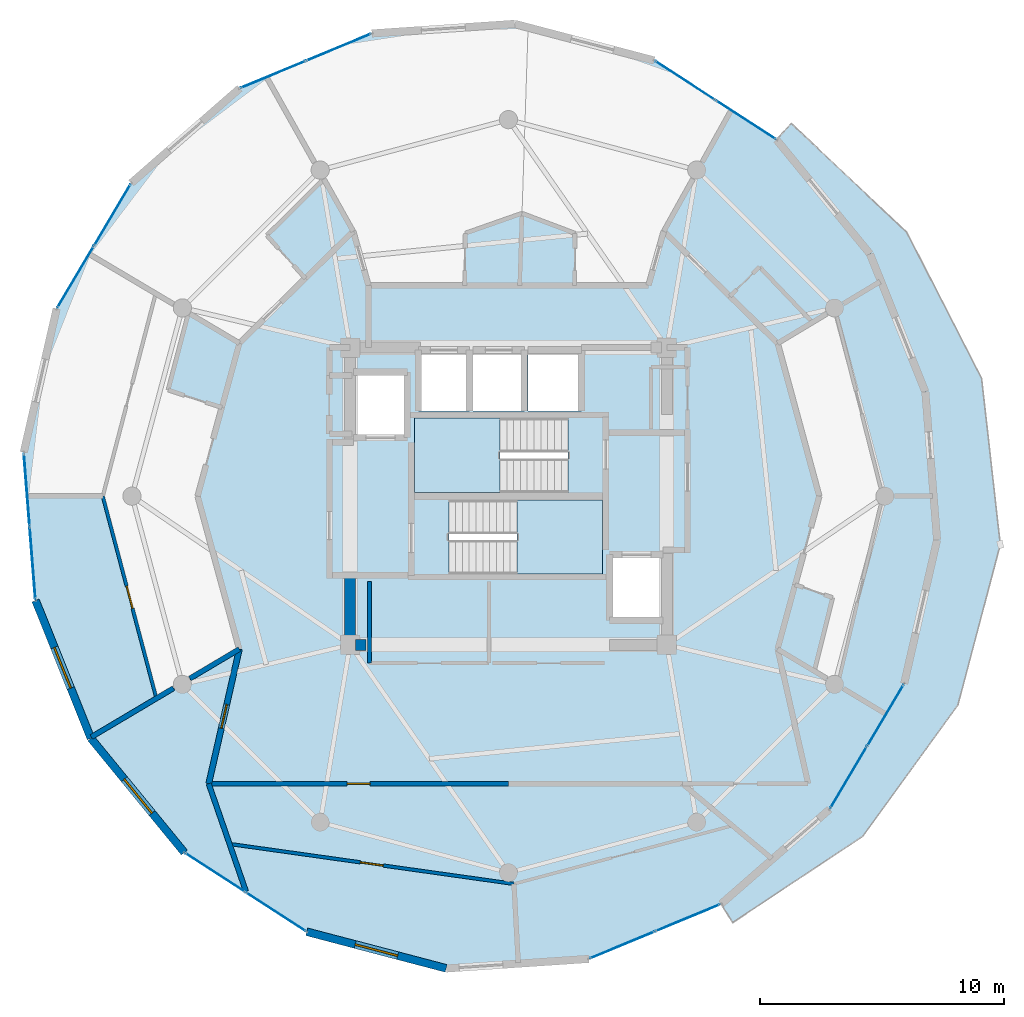
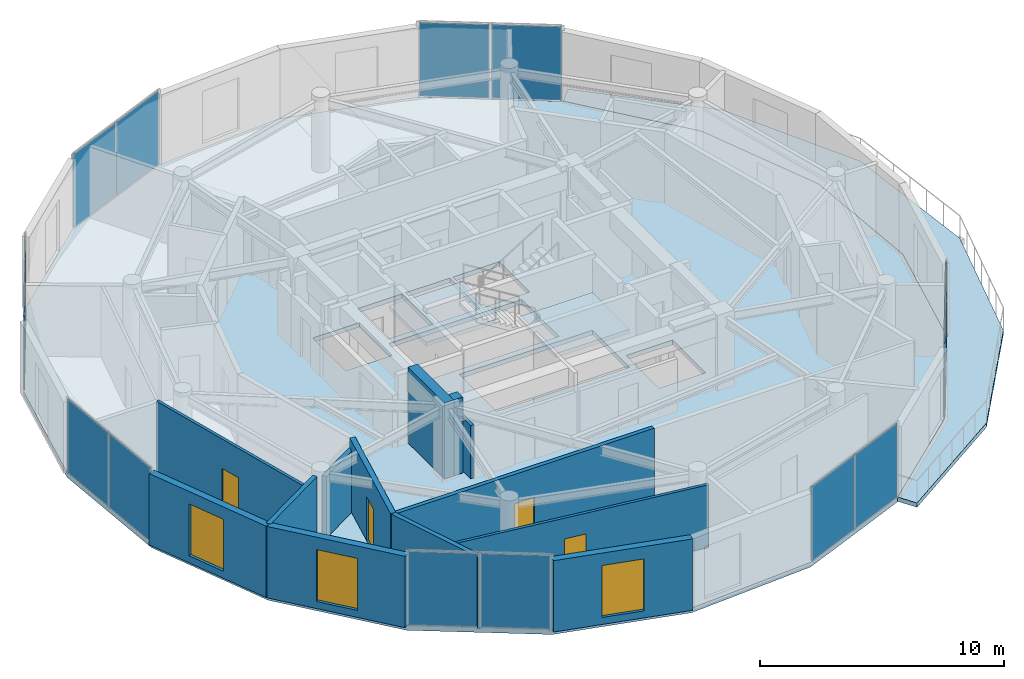
# One storey, part 16 of 22: 14 plates, 13 walls, 4 doors, 4 slabs, 3 windows, 7 openings, 9 elements without a shape of their own.
"""IFC4 building model written with IfcOpenShell, lengths in metres."""

from ifc_helpers import new_model, si_unit, direction, frame, frame_2d, origin, origin_2d, place, context, subcontext, project, spatial, polyline, rectangle, outline, extrude, source, transform, mapped, material, layer, layer_set, type_object, element, fill, aggregate, save


model = new_model("IFC4")

# Units and contexts
model_context = context("Model", 3, precision=1e-05, world=origin(), true_north=direction((0.0, 1.0)))
body_context = subcontext(model_context, "Body", "Model", "MODEL_VIEW")
ifc_project = project(units=[si_unit("LENGTHUNIT", "METRE"), si_unit("AREAUNIT", "SQUARE_METRE"), si_unit("VOLUMEUNIT", "CUBIC_METRE"), si_unit("PLANEANGLEUNIT", "RADIAN"), si_unit("MASSUNIT", "GRAM", prefix="KILO")], contexts=[model_context])

# Site, building, storey
site_placement = place(None, origin())
site = spatial("IfcSite", under=ifc_project, at=site_placement, CompositionType="ELEMENT")
building_placement = place(site_placement, origin())
building = spatial("IfcBuilding", under=site, at=building_placement, Name="Solvirekh Grand Hotel", CompositionType="ELEMENT")
storey_placement = place(building_placement, frame((0.0, 0.0, 243.0)))
storey = spatial("IfcBuildingStorey", under=building, at=storey_placement, Name="L63", CompositionType="ELEMENT", Elevation=243.0)

# Slab
ifc_material_1 = material(Name="Concrete C50/60", Category="concrete")
ifc_layer_1 = layer(ifc_material_1, 0.215087890625)
ifc_layer_set_1 = layer_set([ifc_layer_1], Name="Concrete C50/60")
slab_type_1 = type_object("IfcSlabType", Name="ExtCrescentBalc_215", PredefinedType="FLOOR", material=ifc_layer_set_1)
slab_1_placement = place(storey_placement, frame((0.0, 0.0, -0.215087890625)))
element("IfcSlab", 1, at=slab_1_placement, inside=storey, type_object=slab_type_1, Name="L63 sweeping crescent balcony slab", PredefinedType="FLOOR", context=body_context, shape_type="SweptSolid", body=[
    extrude(outline(polyline([(9.200927734375, -17.4970703125), (14.528076171875, -13.9609375), (18.43896484375, -8.573974609375), (20.179931640625, -1.98291015625), (19.4140625, 4.822998046875), (16.342041015625, 10.827880859375), (11.60205078125, 15.29296875), (11.0009765625, 14.623046875), (14.8349609375, 9.93896484375), (17.10498046875, 4.281982421875), (17.5869140625, -1.794921875), (16.236083984375, -7.695068359375), (13.181884765625, -12.842041015625), (8.72607421875, -16.73291015625), (9.200927734375, -17.4970703125)])), origin(), (0.0, 0.0, 1.0), 0.215087890625),
])

# Stair, slab
ifc_material_2 = material(Name="Concrete C40/50", Category="concrete")
stair_type = type_object("IfcStairType", Name="Stair_Core_1450", PredefinedType="HALF_TURN_STAIR", material=ifc_material_2)
stair_1_placement = place(storey_placement, origin())
stair_1 = element("IfcStair", 2, at=stair_1_placement, inside=storey, type_object=stair_type, Name="L63 Enclosed exit stair ST-1", PredefinedType="HALF_TURN_STAIR")
ifc_layer_2 = layer(ifc_material_2, 0.199951171875)
ifc_layer_set_2 = layer_set([ifc_layer_2], Name="Concrete C40/50")
slab_type_2 = type_object("IfcSlabType", Name="Landing_Stair_200", PredefinedType="LANDING", material=ifc_layer_set_2)
slab_2_placement = place(storey_placement, frame((0.0, 0.0, 1.699951171875)))
slab_2 = element("IfcSlab", 3, at=slab_2_placement, type_object=slab_type_2, Name="ST-1 landing 1", PredefinedType="LANDING", context=body_context, shape_type="SweptSolid", body=[
    extrude(outline(polyline([(0.35009765625, -3.199951171875), (3.85009765625, -3.199951171875), (3.85009765625, -0.14990234375), (0.35009765625, -0.14990234375), (0.35009765625, -3.199951171875)])), origin(), (0.0, 0.0, 1.0), 0.199951171875),
])
aggregate(stair_1, [slab_2])

stair_2_placement = place(storey_placement, origin())
stair_2 = element("IfcStair", 4, at=stair_2_placement, inside=storey, type_object=stair_type, Name="L63 Enclosed exit stair ST-2", PredefinedType="HALF_TURN_STAIR")
slab_3_placement = place(storey_placement, frame((0.0, 0.0, 1.699951171875)))
slab_3 = element("IfcSlab", 5, at=slab_3_placement, type_object=slab_type_2, Name="ST-2 landing 1", PredefinedType="LANDING", context=body_context, shape_type="SweptSolid", body=[
    extrude(outline(polyline([(-0.35009765625, 3.199951171875), (-3.85009765625, 3.199951171875), (-3.85009765625, 0.14990234375), (-0.35009765625, 0.14990234375), (-0.35009765625, 3.199951171875)])), origin(), (0.0, 0.0, 1.0), 0.199951171875),
])
aggregate(stair_2, [slab_3])

# Slab
ifc_layer_3 = layer(ifc_material_2, 0.22998046875)
ifc_layer_set_3 = layer_set([ifc_layer_3], Name="Concrete C40/50")
slab_type_3 = type_object("IfcSlabType", Name="Slab_GuestZ4_230", PredefinedType="FLOOR", material=ifc_layer_set_3)
slab_4_placement = place(storey_placement, frame((0.0, 0.0, -0.22998046875)))
element("IfcSlab", 6, at=slab_4_placement, inside=storey, type_object=slab_type_3, Name="L63 structural floor slab", PredefinedType="FLOOR", context=body_context, shape_type="SweptSolid", body=[
    extrude(outline(polyline([(3.302978515625, -18.985107421875), (8.72607421875, -16.73291015625), (13.181884765625, -12.842041015625), (16.236083984375, -7.695068359375), (17.5869140625, -1.794921875), (17.10498046875, 4.281982421875), (14.8349609375, 9.93896484375), (11.0009765625, 14.623046875), (5.97705078125, 17.8759765625), (0.256103515625, 19.37890625), (-5.60302734375, 18.985107421875), (-11.02587890625, 16.73291015625), (-15.48193359375, 12.842041015625), (-18.535888671875, 7.695068359375), (-19.886962890625, 1.794921875), (-19.405029296875, -4.281982421875), (-17.135009765625, -9.93896484375), (-13.301025390625, -14.623046875), (-8.277099609375, -17.8759765625), (-2.555908203125, -19.37890625), (3.302978515625, -18.985107421875)]), holes=[polyline([(-2.444091796875, -0.14990234375), (3.85009765625, -0.14990234375), (3.85009765625, -3.199951171875), (-2.444091796875, -3.199951171875), (-2.444091796875, -0.14990234375)]), polyline([(2.444091796875, 0.14990234375), (-3.85009765625, 0.14990234375), (-3.85009765625, 3.199951171875), (2.444091796875, 3.199951171875), (2.444091796875, 0.14990234375)]), polyline([(-3.699951171875, 6.0), (-1.60009765625, 6.0), (-1.60009765625, 3.5), (-3.699951171875, 3.5), (-3.699951171875, 6.0)]), polyline([(-1.449951171875, 6.0), (0.64990234375, 6.0), (0.64990234375, 3.5), (-1.449951171875, 3.5), (-1.449951171875, 6.0)]), polyline([(0.800048828125, 6.0), (3.0, 6.0), (3.0, 3.5), (0.800048828125, 3.5), (0.800048828125, 6.0)]), polyline([(-6.35009765625, 5.10009765625), (-4.14990234375, 5.10009765625), (-4.14990234375, 2.39990234375), (-6.35009765625, 2.39990234375), (-6.35009765625, 5.10009765625)]), polyline([(4.14990234375, -2.39990234375), (6.35009765625, -2.39990234375), (6.35009765625, -5.10009765625), (4.14990234375, -5.10009765625), (4.14990234375, -2.39990234375)])]), origin(), (0.0, 0.0, 1.0), 0.22998046875),
])

# Curtain wall, plates
ifc_material_3 = material(Name="Anodized Bronze Aluminium 6063-T6", Category="aluminium")
ifc_layer_4 = layer(ifc_material_3, 0.159912109375)
ifc_layer_set_4 = layer_set([ifc_layer_4], Name="Anodized Bronze Aluminium 6063-T6")
curtain_wall_type = type_object("IfcCurtainWallType", Name="CW_Sys4_HighZoneFlushBronzeCW", PredefinedType="NOTDEFINED", material=ifc_layer_set_4)
curtain_wall_1_placement = place(storey_placement, origin())
curtain_wall_1 = element("IfcCurtainWall", 7, at=curtain_wall_1_placement, inside=storey, type_object=curtain_wall_type, Name="L63 unitised bronze-glass curtain wall CW-L63-C01", PredefinedType="NOTDEFINED")
ifc_material_4 = material(Name="Low-E Tinted Bronze Laminated Glass", Category="aluminium")
ifc_layer_5 = layer(ifc_material_4, 0.033935546875)
ifc_layer_set_5 = layer_set([ifc_layer_5], Name="Low-E Tinted Bronze Laminated Glass")
plate_type = type_object("IfcPlateType", Name="CWPanel_High_34", PredefinedType="CURTAIN_PANEL", material=ifc_layer_set_5)
shared_shape_1 = source(origin(), body_context, "Body", "SweptSolid", [
    extrude(rectangle(XDim=2.845947265625, YDim=0.033935546875, at=origin_2d()), origin(), (0.0, 0.0, 1.0), 3.68994140625),
])
plate_1_placement = place(storey_placement, frame((4.672607421875, -18.416259765625, 0.054931640625), z_axis=(0.0, 0.0, 1.0), x_axis=(0.923534766126, 0.383514713871, 0.0)))
plate_1 = element("IfcPlate", 8, at=plate_1_placement, type_object=plate_type, Name="U04 panel 1.1", PredefinedType="CURTAIN_PANEL", context=body_context, shape_type="MappedRepresentation", body=[
    mapped(shared_shape_1, transform((0.0, 0.0, 0.0), x_axis=(1.0, 0.0, 0.0), y_axis=(0.0, 1.0, 0.0), z_axis=(0.0, 0.0, 1.0), scale=1.0)),
])
plate_2_placement = place(storey_placement, frame((7.3564453125, -17.3017578125, 0.054931640625), z_axis=(0.0, 0.0, 1.0), x_axis=(0.923534766126, 0.383514713871, 0.0)))
plate_2 = element("IfcPlate", 9, at=plate_2_placement, type_object=plate_type, Name="U04 panel 2.1", PredefinedType="CURTAIN_PANEL", context=body_context, shape_type="MappedRepresentation", body=[
    mapped(shared_shape_1, transform((0.0, 0.0, 0.0), x_axis=(1.0, 0.0, 0.0), y_axis=(0.0, 1.0, 0.0), z_axis=(0.0, 0.0, 1.0), scale=1.0)),
])
aggregate(curtain_wall_1, [plate_1, plate_2])

curtain_wall_2_placement = place(storey_placement, origin())
curtain_wall_2 = element("IfcCurtainWall", 10, at=curtain_wall_2_placement, inside=storey, type_object=curtain_wall_type, Name="L63 unitised bronze-glass curtain wall CW-L63-C11", PredefinedType="NOTDEFINED")
plate_3_placement = place(storey_placement, frame((-6.97265625, 18.416259765625, 0.054931640625), z_axis=(0.0, 0.0, 1.0), x_axis=(-0.923534766126, -0.383514713871, 0.0)))
plate_3 = element("IfcPlate", 11, at=plate_3_placement, type_object=plate_type, Name="U04 panel 1.1", PredefinedType="CURTAIN_PANEL", context=body_context, shape_type="MappedRepresentation", body=[
    mapped(shared_shape_1, transform((0.0, 0.0, 0.0), x_axis=(1.0, 0.0, 0.0), y_axis=(0.0, 1.0, 0.0), z_axis=(0.0, 0.0, 1.0), scale=1.0)),
])
plate_4_placement = place(storey_placement, frame((-9.656494140625, 17.3017578125, 0.054931640625), z_axis=(0.0, 0.0, 1.0), x_axis=(-0.923534766126, -0.383514713871, 0.0)))
plate_4 = element("IfcPlate", 12, at=plate_4_placement, type_object=plate_type, Name="U04 panel 2.1", PredefinedType="CURTAIN_PANEL", context=body_context, shape_type="MappedRepresentation", body=[
    mapped(shared_shape_1, transform((0.0, 0.0, 0.0), x_axis=(1.0, 0.0, 0.0), y_axis=(0.0, 1.0, 0.0), z_axis=(0.0, 0.0, 1.0), scale=1.0)),
])
aggregate(curtain_wall_2, [plate_3, plate_4])

curtain_wall_3_placement = place(storey_placement, origin())
curtain_wall_3 = element("IfcCurtainWall", 13, at=curtain_wall_3_placement, inside=storey, type_object=curtain_wall_type, Name="L63 unitised bronze-glass curtain wall CW-L63-C03", PredefinedType="NOTDEFINED")
shared_shape_2 = source(origin(), body_context, "Body", "SweptSolid", [
    extrude(rectangle(XDim=2.90234375, YDim=0.033935546875, at=origin_2d()), origin(), (0.0, 0.0, 1.0), 3.68994140625),
])
plate_5_placement = place(storey_placement, frame((13.953125, -11.542236328125, 0.054931640625), z_axis=(0.0, 0.0, 1.0), x_axis=(0.5102877983, 0.860003699356, 0.0)))
plate_5 = element("IfcPlate", 14, at=plate_5_placement, type_object=plate_type, Name="U04 panel 1.1", PredefinedType="CURTAIN_PANEL", context=body_context, shape_type="MappedRepresentation", body=[
    mapped(shared_shape_2, transform((0.0, 0.0, 0.0), x_axis=(1.0, 0.0, 0.0), y_axis=(0.0, 1.0, 0.0), z_axis=(0.0, 0.0, 1.0), scale=1.0)),
])
plate_6_placement = place(storey_placement, frame((15.46484375, -8.99462890625, 0.054931640625), z_axis=(0.0, 0.0, 1.0), x_axis=(0.5102877983, 0.860003699356, 0.0)))
plate_6 = element("IfcPlate", 15, at=plate_6_placement, type_object=plate_type, Name="U04 panel 2.1", PredefinedType="CURTAIN_PANEL", context=body_context, shape_type="MappedRepresentation", body=[
    mapped(shared_shape_2, transform((0.0, 0.0, 0.0), x_axis=(1.0, 0.0, 0.0), y_axis=(0.0, 1.0, 0.0), z_axis=(0.0, 0.0, 1.0), scale=1.0)),
])
aggregate(curtain_wall_3, [plate_5, plate_6])

curtain_wall_4_placement = place(storey_placement, origin())
curtain_wall_4 = element("IfcCurtainWall", 16, at=curtain_wall_4_placement, inside=storey, type_object=curtain_wall_type, Name="L63 unitised bronze-glass curtain wall CW-L63-C13", PredefinedType="NOTDEFINED")
plate_7_placement = place(storey_placement, frame((-16.253173828125, 11.542236328125, 0.054931640625), z_axis=(0.0, 0.0, 1.0), x_axis=(-0.5102877983, -0.860003699356, 0.0)))
plate_7 = element("IfcPlate", 17, at=plate_7_placement, type_object=plate_type, Name="U04 panel 1.1", PredefinedType="CURTAIN_PANEL", context=body_context, shape_type="MappedRepresentation", body=[
    mapped(shared_shape_2, transform((0.0, 0.0, 0.0), x_axis=(1.0, 0.0, 0.0), y_axis=(0.0, 1.0, 0.0), z_axis=(0.0, 0.0, 1.0), scale=1.0)),
])
plate_8_placement = place(storey_placement, frame((-17.764892578125, 8.99462890625, 0.054931640625), z_axis=(0.0, 0.0, 1.0), x_axis=(-0.5102877983, -0.860003699356, 0.0)))
plate_8 = element("IfcPlate", 18, at=plate_8_placement, type_object=plate_type, Name="U04 panel 2.1", PredefinedType="CURTAIN_PANEL", context=body_context, shape_type="MappedRepresentation", body=[
    mapped(shared_shape_2, transform((0.0, 0.0, 0.0), x_axis=(1.0, 0.0, 0.0), y_axis=(0.0, 1.0, 0.0), z_axis=(0.0, 0.0, 1.0), scale=1.0)),
])
aggregate(curtain_wall_4, [plate_7, plate_8])

curtain_wall_5_placement = place(storey_placement, origin())
curtain_wall_5 = element("IfcCurtainWall", 19, at=curtain_wall_5_placement, inside=storey, type_object=curtain_wall_type, Name="L63 unitised bronze-glass curtain wall CW-L63-C08", PredefinedType="NOTDEFINED")
shared_shape_3 = source(origin(), body_context, "Body", "SweptSolid", [
    extrude(rectangle(XDim=2.902587890625, YDim=0.033935546875, at=origin_2d()), origin(), (0.0, 0.0, 1.0), 3.68994140625),
])
plate_9_placement = place(storey_placement, frame((9.732421875, 15.4443359375, 0.054931640625), z_axis=(0.0, 0.0, 1.0), x_axis=(-0.839404261681, 0.543507576279, 0.0)))
plate_9 = element("IfcPlate", 20, at=plate_9_placement, type_object=plate_type, Name="U04 panel 1.1", PredefinedType="CURTAIN_PANEL", context=body_context, shape_type="MappedRepresentation", body=[
    mapped(shared_shape_3, transform((0.0, 0.0, 0.0), x_axis=(1.0, 0.0, 0.0), y_axis=(0.0, 1.0, 0.0), z_axis=(0.0, 0.0, 1.0), scale=1.0)),
])
plate_10_placement = place(storey_placement, frame((7.24560546875, 17.0546875, 0.054931640625), z_axis=(0.0, 0.0, 1.0), x_axis=(-0.839404261681, 0.543507576279, 0.0)))
plate_10 = element("IfcPlate", 21, at=plate_10_placement, type_object=plate_type, Name="U04 panel 2.1", PredefinedType="CURTAIN_PANEL", context=body_context, shape_type="MappedRepresentation", body=[
    mapped(shared_shape_3, transform((0.0, 0.0, 0.0), x_axis=(1.0, 0.0, 0.0), y_axis=(0.0, 1.0, 0.0), z_axis=(0.0, 0.0, 1.0), scale=1.0)),
])
aggregate(curtain_wall_5, [plate_9, plate_10])

curtain_wall_6_placement = place(storey_placement, origin())
curtain_wall_6 = element("IfcCurtainWall", 22, at=curtain_wall_6_placement, inside=storey, type_object=curtain_wall_type, Name="L63 unitised bronze-glass curtain wall CW-L63-C18", PredefinedType="NOTDEFINED")
plate_11_placement = place(storey_placement, frame((-12.032470703125, -15.4443359375, 0.054931640625), z_axis=(0.0, 0.0, 1.0), x_axis=(0.839404261681, -0.543507576279, 0.0)))
plate_11 = element("IfcPlate", 23, at=plate_11_placement, type_object=plate_type, Name="U04 panel 1.1", PredefinedType="CURTAIN_PANEL", context=body_context, shape_type="MappedRepresentation", body=[
    mapped(shared_shape_3, transform((0.0, 0.0, 0.0), x_axis=(1.0, 0.0, 0.0), y_axis=(0.0, 1.0, 0.0), z_axis=(0.0, 0.0, 1.0), scale=1.0)),
])
plate_12_placement = place(storey_placement, frame((-9.545654296875, -17.0546875, 0.054931640625), z_axis=(0.0, 0.0, 1.0), x_axis=(0.839404261681, -0.543507576279, 0.0)))
plate_12 = element("IfcPlate", 24, at=plate_12_placement, type_object=plate_type, Name="U04 panel 2.1", PredefinedType="CURTAIN_PANEL", context=body_context, shape_type="MappedRepresentation", body=[
    mapped(shared_shape_3, transform((0.0, 0.0, 0.0), x_axis=(1.0, 0.0, 0.0), y_axis=(0.0, 1.0, 0.0), z_axis=(0.0, 0.0, 1.0), scale=1.0)),
])
aggregate(curtain_wall_6, [plate_11, plate_12])

curtain_wall_7_placement = place(storey_placement, origin())
curtain_wall_7 = element("IfcCurtainWall", 25, at=curtain_wall_7_placement, inside=storey, type_object=curtain_wall_type, Name="L63 unitised bronze-glass curtain wall CW-L63-C15", PredefinedType="NOTDEFINED")
shared_shape_4 = source(origin(), body_context, "Body", "SweptSolid", [
    extrude(rectangle(XDim=2.9580078125, YDim=0.033935546875, at=origin_2d()), origin(), (0.0, 0.0, 1.0), 3.68994140625),
])
plate_13_placement = place(storey_placement, frame((-19.765380859375, 0.2607421875, 0.054931640625), z_axis=(0.0, 0.0, 1.0), x_axis=(0.079067138283, -0.996869293159, 0.0)))
plate_13 = element("IfcPlate", 26, at=plate_13_placement, type_object=plate_type, Name="U04 panel 1.1", PredefinedType="CURTAIN_PANEL", context=body_context, shape_type="MappedRepresentation", body=[
    mapped(shared_shape_4, transform((0.0, 0.0, 0.0), x_axis=(1.0, 0.0, 0.0), y_axis=(0.0, 1.0, 0.0), z_axis=(0.0, 0.0, 1.0), scale=1.0)),
])
plate_14_placement = place(storey_placement, frame((-19.526611328125, -2.747802734375, 0.054931640625), z_axis=(0.0, 0.0, 1.0), x_axis=(0.079067138283, -0.996869293159, 0.0)))
plate_14 = element("IfcPlate", 27, at=plate_14_placement, type_object=plate_type, Name="U04 panel 2.1", PredefinedType="CURTAIN_PANEL", context=body_context, shape_type="MappedRepresentation", body=[
    mapped(shared_shape_4, transform((0.0, 0.0, 0.0), x_axis=(1.0, 0.0, 0.0), y_axis=(0.0, 1.0, 0.0), z_axis=(0.0, 0.0, 1.0), scale=1.0)),
])
aggregate(curtain_wall_7, [plate_13, plate_14])

# Walls
ifc_layer_6 = layer(ifc_material_1, 0.449951171875)
ifc_layer_set_6 = layer_set([ifc_layer_6], Name="Concrete C50/60")
wall_type_1 = type_object("IfcWallType", Name="CoreWall_RC450", PredefinedType="SHEAR", material=ifc_layer_set_6)
wall_1_placement = place(storey_placement, frame((-6.27490234375, -6.10009765625, 0.0), z_axis=(0.0, 0.0, 1.0), x_axis=(1.0, 0.0, 0.0)))
element("IfcWall", 28, at=wall_1_placement, inside=storey, type_object=wall_type_1, Name="L63 core corner shear wall SW-S", PredefinedType="SHEAR", context=body_context, shape_type="SweptSolid", body=[
    extrude(rectangle(XDim=0.4248046875, YDim=0.449951171875, at=frame_2d((0.21240234375, 0.0))), origin(), (0.0, 0.0, 1.0), 3.800048828125),
])
wall_2_placement = place(storey_placement, frame((-6.5, -6.324951171875, 0.0), z_axis=(0.0, 0.0, 1.0), x_axis=(0.0, 1.0, 0.0)))
element("IfcWall", 29, at=wall_2_placement, inside=storey, type_object=wall_type_1, Name="L63 core corner shear wall WS-W", PredefinedType="SHEAR", context=body_context, shape_type="SweptSolid", body=[
    extrude(rectangle(XDim=2.974853515625, YDim=0.449951171875, at=frame_2d((1.4873046875, 0.0))), origin(), (0.0, 0.0, 1.0), 3.800048828125),
])

# Wall, opening, window
ifc_material_5 = material(Name="Precast concrete C45/55", Category="concrete")
ifc_layer_7 = layer(ifc_material_5, 0.320068359375)
ifc_layer_set_7 = layer_set([ifc_layer_7], Name="Precast concrete C45/55")
wall_type_2 = type_object("IfcWallType", Name="ExtLobbyWall_RC320", PredefinedType="SOLIDWALL", material=ifc_layer_set_7)
wall_3_placement = place(storey_placement, frame((-17.135009765625, -9.93896484375, 0.0), z_axis=(0.0, 0.0, 1.0), x_axis=(-0.372412492589, 0.928067311871, 0.0)))
wall_3 = element("IfcWall", 30, at=wall_3_placement, inside=storey, type_object=wall_type_2, Name="L63 exterior structural wall chord 16", PredefinedType="SOLIDWALL", context=body_context, shape_type="SweptSolid", body=[
    extrude(rectangle(XDim=6.095458984375, YDim=0.320068359375, at=frame_2d((3.0478515625, 0.0))), origin(), (0.0, 0.0, 1.0), 3.570068359375),
])
opening_1_placement = place(wall_3_placement, frame((2.219970703125, 0.0, 0.35009765625)))
opening_1 = element("IfcOpeningElement", 31, at=opening_1_placement, cuts=wall_3, Name="Opening W02", PredefinedType="OPENING", context=body_context, shape_type="SweptSolid", body=[
    extrude(rectangle(XDim=1.800048828125, YDim=2.60009765625, at=frame_2d((0.89990234375, 1.300048828125))), frame((0.0, 0.169921875, 0.0), z_axis=(0.0, -1.0, 0.0), x_axis=(1.0, 0.0, 0.0)), (0.0, 0.0, 1.0), 0.340087890625),
])
window_type = type_object("IfcWindowType", Name="Win_LobbyExt_1800X2600", PartitioningType="SINGLE_PANEL", PredefinedType="WINDOW", material=ifc_material_4)
window_1_placement = place(opening_1_placement, origin())
window_1 = element("IfcWindow", 32, at=window_1_placement, inside=storey, type_object=window_type, Name="L63 panoramic bronze-framed window 16", OverallHeight=2.60009765625, OverallWidth=1.800048828125, PartitioningType="SINGLE_PANEL", PredefinedType="WINDOW", context=body_context, shape_type="SweptSolid", body=[
    extrude(rectangle(XDim=1.800048828125, YDim=2.60009765625, at=frame_2d((0.89990234375, 1.300048828125))), frame((0.0, 0.030029296875, 0.0), z_axis=(0.0, -1.0, 0.0), x_axis=(1.0, 0.0, 0.0)), (0.0, 0.0, 1.0), 0.06005859375),
])
fill(opening_1, window_1)

wall_4_placement = place(storey_placement, frame((-13.301025390625, -14.623046875, 0.0), z_axis=(0.0, 0.0, 1.0), x_axis=(-0.633391522875, 0.773831492478, 0.0)))
wall_4 = element("IfcWall", 33, at=wall_4_placement, inside=storey, type_object=wall_type_2, Name="L63 exterior structural wall chord 17", PredefinedType="SOLIDWALL", context=body_context, shape_type="SweptSolid", body=[
    extrude(rectangle(XDim=6.05322265625, YDim=0.320068359375, at=frame_2d((3.026611328125, 0.0))), origin(), (0.0, 0.0, 1.0), 3.570068359375),
])
opening_2_placement = place(wall_4_placement, frame((2.092041015625, 0.0, 0.35009765625)))
opening_2 = element("IfcOpeningElement", 34, at=opening_2_placement, cuts=wall_4, Name="Opening W02", PredefinedType="OPENING", context=body_context, shape_type="SweptSolid", body=[
    extrude(rectangle(XDim=1.800048828125, YDim=2.60009765625, at=frame_2d((0.89990234375, 1.300048828125))), frame((0.0, 0.169921875, 0.0), z_axis=(0.0, -1.0, 0.0), x_axis=(1.0, 0.0, 0.0)), (0.0, 0.0, 1.0), 0.340087890625),
])
window_2_placement = place(opening_2_placement, origin())
window_2 = element("IfcWindow", 35, at=window_2_placement, inside=storey, type_object=window_type, Name="L63 panoramic bronze-framed window 17", OverallHeight=2.60009765625, OverallWidth=1.800048828125, PartitioningType="SINGLE_PANEL", PredefinedType="WINDOW", context=body_context, shape_type="SweptSolid", body=[
    extrude(rectangle(XDim=1.800048828125, YDim=2.60009765625, at=frame_2d((0.89990234375, 1.300048828125))), frame((0.0, 0.030029296875, 0.0), z_axis=(0.0, -1.0, 0.0), x_axis=(1.0, 0.0, 0.0)), (0.0, 0.0, 1.0), 0.06005859375),
])
fill(opening_2, window_2)

wall_5_placement = place(storey_placement, frame((-2.555908203125, -19.37890625, 0.0), z_axis=(0.0, 0.0, 1.0), x_axis=(-0.96718457854, 0.254074774494, 0.0)))
wall_5 = element("IfcWall", 36, at=wall_5_placement, inside=storey, type_object=wall_type_2, Name="L63 exterior structural wall chord 19", PredefinedType="SOLIDWALL", context=body_context, shape_type="SweptSolid", body=[
    extrude(rectangle(XDim=5.915283203125, YDim=0.320068359375, at=frame_2d((2.95751953125, 0.0))), origin(), (0.0, 0.0, 1.0), 3.570068359375),
])
opening_3_placement = place(wall_5_placement, frame((2.05810546875, 0.0, 0.35009765625)))
opening_3 = element("IfcOpeningElement", 37, at=opening_3_placement, cuts=wall_5, Name="Opening W02", PredefinedType="OPENING", context=body_context, shape_type="SweptSolid", body=[
    extrude(rectangle(XDim=1.800048828125, YDim=2.60009765625, at=frame_2d((0.89990234375, 1.300048828125))), frame((0.0, 0.169921875, 0.0), z_axis=(0.0, -1.0, 0.0), x_axis=(1.0, 0.0, 0.0)), (0.0, 0.0, 1.0), 0.340087890625),
])
window_3_placement = place(opening_3_placement, origin())
window_3 = element("IfcWindow", 38, at=window_3_placement, inside=storey, type_object=window_type, Name="L63 panoramic bronze-framed window 19", OverallHeight=2.60009765625, OverallWidth=1.800048828125, PartitioningType="SINGLE_PANEL", PredefinedType="WINDOW", context=body_context, shape_type="SweptSolid", body=[
    extrude(rectangle(XDim=1.800048828125, YDim=2.60009765625, at=frame_2d((0.89990234375, 1.300048828125))), frame((0.0, 0.030029296875, 0.0), z_axis=(0.0, -1.0, 0.0), x_axis=(1.0, 0.0, 0.0)), (0.0, 0.0, 1.0), 0.06005859375),
])
fill(opening_3, window_3)

# Wall
ifc_material_6 = material(Name="Acoustic Gypsum Partition Assembly")
ifc_layer_8 = layer(ifc_material_6, 0.1650390625)
ifc_layer_set_8 = layer_set([ifc_layer_8], Name="Acoustic Gypsum Partition Assembly")
wall_type_3 = type_object("IfcWallType", Name="Part_BOH_165", PredefinedType="PARTITIONING", material=ifc_layer_set_8)
wall_6_placement = place(storey_placement, frame((-5.699951171875, -3.5, 0.0), z_axis=(0.0, 0.0, 1.0), x_axis=(0.0, -1.0, 0.0)))
element("IfcWall", 39, at=wall_6_placement, inside=storey, type_object=wall_type_3, Name="L63 High-Zone Housekeeping Linen Room wall 4", PredefinedType="PARTITIONING", context=body_context, shape_type="SweptSolid", body=[
    extrude(rectangle(XDim=3.35009765625, YDim=0.1650390625, at=frame_2d((1.675048828125, 0.0))), origin(), (0.0, 0.0, 1.0), 2.655029296875),
])

# Wall, opening, door
ifc_layer_9 = layer(ifc_material_6, 0.239990234375)
ifc_layer_set_9 = layer_set([ifc_layer_9], Name="Acoustic Gypsum Partition Assembly")
wall_type_4 = type_object("IfcWallType", Name="Part_Corridor_240", PredefinedType="PARTITIONING", material=ifc_layer_set_9)
wall_7_placement = place(storey_placement, frame((-11.0419921875, -6.27490234375, 0.0), z_axis=(0.0, 0.0, 1.0), x_axis=(-0.222014008723, -0.975043475918, 0.0)))
wall_7 = element("IfcWall", 40, at=wall_7_placement, inside=storey, type_object=wall_type_4, Name="L63 L63 South-West Study Lounge entrance wall", PredefinedType="PARTITIONING", context=body_context, shape_type="SweptSolid", body=[
    extrude(rectangle(XDim=5.66650390625, YDim=0.239990234375, at=frame_2d((2.833251953125, 0.0))), origin(), (0.0, 0.0, 1.0), 3.570068359375),
])
opening_4_placement = place(wall_7_placement, frame((2.3330078125, 0.0, 0.0)))
opening_4 = element("IfcOpeningElement", 41, at=opening_4_placement, cuts=wall_7, Name="Opening D07", PredefinedType="OPENING", context=body_context, shape_type="SweptSolid", body=[
    extrude(rectangle(XDim=1.0, YDim=2.199951171875, at=frame_2d((0.5, 1.10009765625))), frame((0.0, 0.1298828125, 0.0), z_axis=(0.0, -1.0, 0.0), x_axis=(1.0, 0.0, 0.0)), (0.0, 0.0, 1.0), 0.260009765625),
])
ifc_material_7 = material(Name="Fire-Rated Steel Door Assembly", Category="steel")
door_type_1 = type_object("IfcDoorType", Name="Door_GuestEntry_1000X2200", OperationType="NOTDEFINED", PredefinedType="DOOR", material=ifc_material_7)
door_1_placement = place(opening_4_placement, origin())
door_1 = element("IfcDoor", 42, at=door_1_placement, inside=storey, type_object=door_type_1, Name="L63 L63 South-West Study Lounge entrance door", OperationType="SINGLE_SWING_RIGHT", OverallHeight=2.199951171875, OverallWidth=1.0, PredefinedType="DOOR", context=body_context, shape_type="SweptSolid", body=[
    extrude(rectangle(XDim=1.0, YDim=2.199951171875, at=frame_2d((0.5, 1.10009765625))), frame((0.0, 0.02490234375, 0.0), z_axis=(0.0, -1.0, 0.0), x_axis=(1.0, 0.0, 0.0)), (0.0, 0.0, 1.0), 0.050048828125),
])
fill(opening_4, door_1)

ifc_layer_10 = layer(ifc_material_6, 0.18994140625)
ifc_layer_set_10 = layer_set([ifc_layer_10], Name="Acoustic Gypsum Partition Assembly")
wall_type_5 = type_object("IfcWallType", Name="Part_GuestDemise_190", PredefinedType="PARTITIONING", material=ifc_layer_set_10)
wall_8_placement = place(storey_placement, frame((-12.300048828125, -11.800048828125, 0.0), z_axis=(0.0, 0.0, 1.0), x_axis=(1.0, 0.0, 0.0)))
wall_8 = element("IfcWall", 43, at=wall_8_placement, inside=storey, type_object=wall_type_5, Name="L63 L63 Sky Club Reading Lounge entrance wall", PredefinedType="PARTITIONING", context=body_context, shape_type="SweptSolid", body=[
    extrude(rectangle(XDim=12.300048828125, YDim=0.18994140625, at=frame_2d((6.14990234375, 0.0))), origin(), (0.0, 0.0, 1.0), 3.570068359375),
])
opening_5_placement = place(wall_8_placement, frame((5.675048828125, 0.0, 0.0)))
opening_5 = element("IfcOpeningElement", 44, at=opening_5_placement, cuts=wall_8, Name="Opening D10", PredefinedType="OPENING", context=body_context, shape_type="SweptSolid", body=[
    extrude(rectangle(XDim=0.949951171875, YDim=2.10009765625, at=frame_2d((0.47509765625, 1.050048828125))), frame((0.0, 0.10498046875, 0.0), z_axis=(0.0, -1.0, 0.0), x_axis=(1.0, 0.0, 0.0)), (0.0, 0.0, 1.0), 0.2099609375),
])
door_type_2 = type_object("IfcDoorType", Name="Door_RoomInt_950X2100", OperationType="NOTDEFINED", PredefinedType="DOOR", material=ifc_material_3)
door_2_placement = place(opening_5_placement, origin())
door_2 = element("IfcDoor", 45, at=door_2_placement, inside=storey, type_object=door_type_2, Name="L63 L63 Sky Club Reading Lounge entrance door", OperationType="SINGLE_SWING_LEFT", OverallHeight=2.10009765625, OverallWidth=0.949951171875, PredefinedType="DOOR", context=body_context, shape_type="SweptSolid", body=[
    extrude(rectangle(XDim=0.949951171875, YDim=2.10009765625, at=frame_2d((0.47509765625, 1.050048828125))), frame((0.0, 0.02490234375, 0.0), z_axis=(0.0, -1.0, 0.0), x_axis=(1.0, 0.0, 0.0)), (0.0, 0.0, 1.0), 0.050048828125),
])
fill(opening_5, door_2)

ifc_layer_11 = layer(ifc_material_6, 0.135009765625)
ifc_layer_set_11 = layer_set([ifc_layer_11], Name="Acoustic Gypsum Partition Assembly")
wall_type_6 = type_object("IfcWallType", Name="Part_RoomInt_135", PredefinedType="PARTITIONING", material=ifc_layer_set_11)
wall_9_placement = place(storey_placement, frame((-16.64501953125, 0.0, 0.0), z_axis=(0.0, 0.0, 1.0), x_axis=(0.256566495237, -0.966526581901, 0.0)))
wall_9 = element("IfcWall", 46, at=wall_9_placement, inside=storey, type_object=wall_type_6, Name="L63 Executive Suite 6504 Panorama Suite Study bedroom screen wall", PredefinedType="PARTITIONING", context=body_context, shape_type="SweptSolid", body=[
    extrude(rectangle(XDim=8.582275390625, YDim=0.135009765625, at=frame_2d((4.291015625, 0.0))), origin(), (0.0, 0.0, 1.0), 3.570068359375),
])
opening_6_placement = place(wall_9_placement, frame((3.81591796875, 0.0, 0.0)))
opening_6 = element("IfcOpeningElement", 47, at=opening_6_placement, cuts=wall_9, Name="Opening D10", PredefinedType="OPENING", context=body_context, shape_type="SweptSolid", body=[
    extrude(rectangle(XDim=0.949951171875, YDim=2.10009765625, at=frame_2d((0.47509765625, 1.050048828125))), frame((0.0, 0.07763671875, 0.0), z_axis=(0.0, -1.0, 0.0), x_axis=(1.0, 0.0, 0.0)), (0.0, 0.0, 1.0), 0.155029296875),
])
door_3_placement = place(opening_6_placement, origin())
door_3 = element("IfcDoor", 48, at=door_3_placement, inside=storey, type_object=door_type_2, Name="L63 Executive Suite 6504 Panorama Suite Study master bedroom door", OperationType="SINGLE_SWING_RIGHT", OverallHeight=2.10009765625, OverallWidth=0.949951171875, PredefinedType="DOOR", context=body_context, shape_type="SweptSolid", body=[
    extrude(rectangle(XDim=0.949951171875, YDim=2.10009765625, at=frame_2d((0.47509765625, 1.050048828125))), frame((0.0, 0.02490234375, 0.0), z_axis=(0.0, -1.0, 0.0), x_axis=(1.0, 0.0, 0.0)), (0.0, 0.0, 1.0), 0.050048828125),
])
fill(opening_6, door_3)

wall_10_placement = place(storey_placement, frame((-11.444091796875, -14.27099609375, 0.0), z_axis=(0.0, 0.0, 1.0), x_axis=(0.990280714827, -0.139083089705, 0.0)))
wall_10 = element("IfcWall", 49, at=wall_10_placement, inside=storey, type_object=wall_type_6, Name="L63 L63 South Horizon Conservatory bedroom screen wall", PredefinedType="PARTITIONING", context=body_context, shape_type="SweptSolid", body=[
    extrude(rectangle(XDim=11.78369140625, YDim=0.135009765625, at=frame_2d((5.891845703125, 0.0))), origin(), (0.0, 0.0, 1.0), 3.138916015625),
])
opening_7_placement = place(wall_10_placement, frame((5.4169921875, 0.0, 0.0)))
opening_7 = element("IfcOpeningElement", 50, at=opening_7_placement, cuts=wall_10, Name="Opening D10", PredefinedType="OPENING", context=body_context, shape_type="SweptSolid", body=[
    extrude(rectangle(XDim=0.949951171875, YDim=2.10009765625, at=frame_2d((0.47509765625, 1.050048828125))), frame((0.0, 0.07763671875, 0.0), z_axis=(0.0, -1.0, 0.0), x_axis=(1.0, 0.0, 0.0)), (0.0, 0.0, 1.0), 0.155029296875),
])
door_4_placement = place(opening_7_placement, origin())
door_4 = element("IfcDoor", 51, at=door_4_placement, inside=storey, type_object=door_type_2, Name="L63 L63 South Horizon Conservatory master bedroom door", OperationType="SINGLE_SWING_LEFT", OverallHeight=2.10009765625, OverallWidth=0.949951171875, PredefinedType="DOOR", context=body_context, shape_type="SweptSolid", body=[
    extrude(rectangle(XDim=0.949951171875, YDim=2.10009765625, at=frame_2d((0.47509765625, 1.050048828125))), frame((0.0, 0.02490234375, 0.0), z_axis=(0.0, -1.0, 0.0), x_axis=(1.0, 0.0, 0.0)), (0.0, 0.0, 1.0), 0.050048828125),
])
fill(opening_7, door_4)

# Walls
ifc_layer_12 = layer(ifc_material_6, 0.2099609375)
ifc_layer_set_12 = layer_set([ifc_layer_12], Name="Acoustic Gypsum Partition Assembly")
wall_type_7 = type_object("IfcWallType", Name="Part_SuiteDemise_210", PredefinedType="PARTITIONING", material=ifc_layer_set_12)
wall_11_placement = place(storey_placement, frame((-11.0419921875, -6.27490234375, 0.0), z_axis=(0.0, 0.0, 1.0), x_axis=(-0.859685751386, -0.510823265781, 0.0)))
element("IfcWall", 52, at=wall_11_placement, inside=storey, type_object=wall_type_7, Name="L63 suite radial wall 8 (A)", PredefinedType="PARTITIONING", context=body_context, shape_type="SweptSolid", body=[
    extrude(rectangle(XDim=2.359130859375, YDim=0.2099609375, at=frame_2d((1.1796875, 0.0))), origin(), (0.0, 0.0, 1.0), 3.0859375),
])
wall_12_placement = place(storey_placement, frame((-13.743896484375, -7.8798828125, 0.0), z_axis=(0.0, 0.0, 1.0), x_axis=(-0.8597863995, -0.510653842867, 0.0)))
element("IfcWall", 53, at=wall_12_placement, inside=storey, type_object=wall_type_7, Name="L63 suite radial wall 8 (B)", PredefinedType="PARTITIONING", context=body_context, shape_type="SweptSolid", body=[
    extrude(rectangle(XDim=3.9208984375, YDim=0.2099609375, at=frame_2d((1.96044921875, 0.0))), origin(), (0.0, 0.0, 1.0), 3.570068359375),
])
wall_13_placement = place(storey_placement, frame((-12.300048828125, -11.800048828125, 0.0), z_axis=(0.0, 0.0, 1.0), x_axis=(0.327216501768, -0.944949395984, 0.0)))
element("IfcWall", 54, at=wall_13_placement, inside=storey, type_object=wall_type_7, Name="L63 L63 Sky Club Reading Lounge dividing partition 2", PredefinedType="PARTITIONING", context=body_context, shape_type="SweptSolid", body=[
    extrude(rectangle(XDim=4.669921875, YDim=0.2099609375, at=frame_2d((2.3349609375, 0.0))), origin(), (0.0, 0.0, 1.0), 3.570068359375),
])

save(model, "model.ifc")
